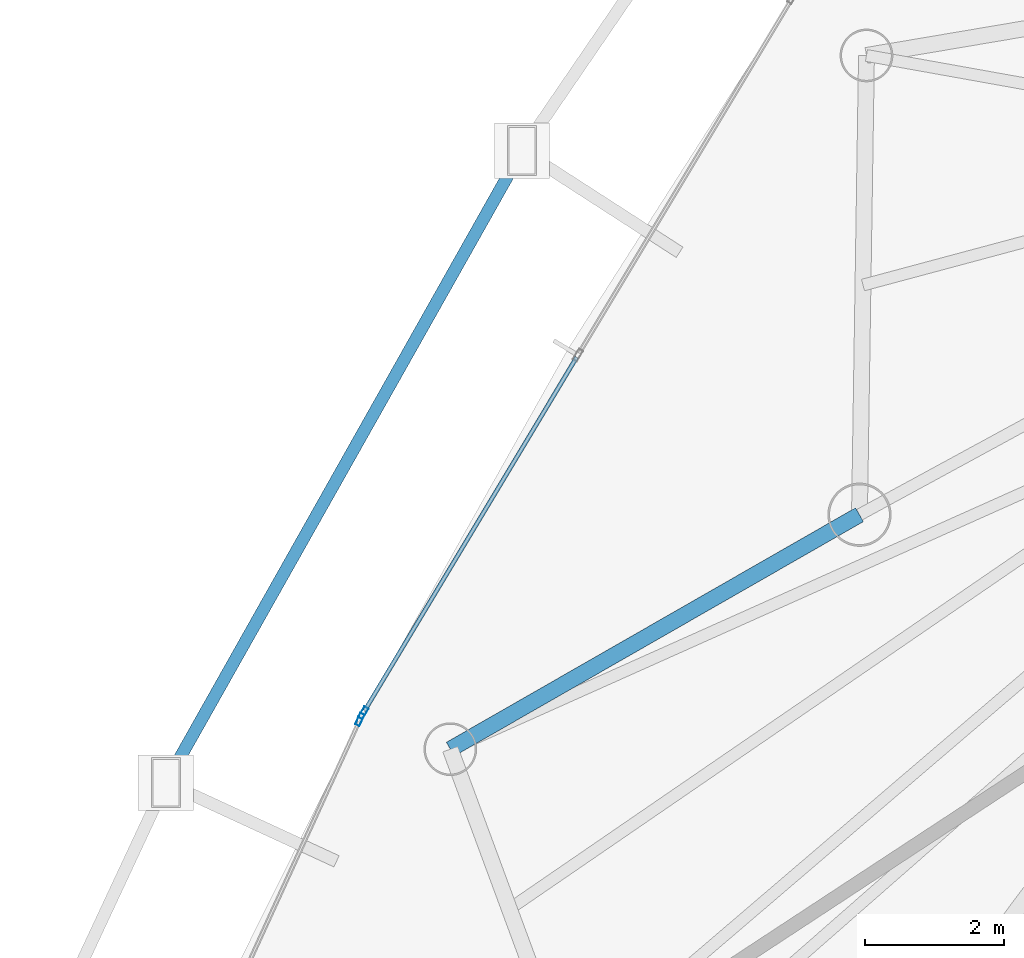
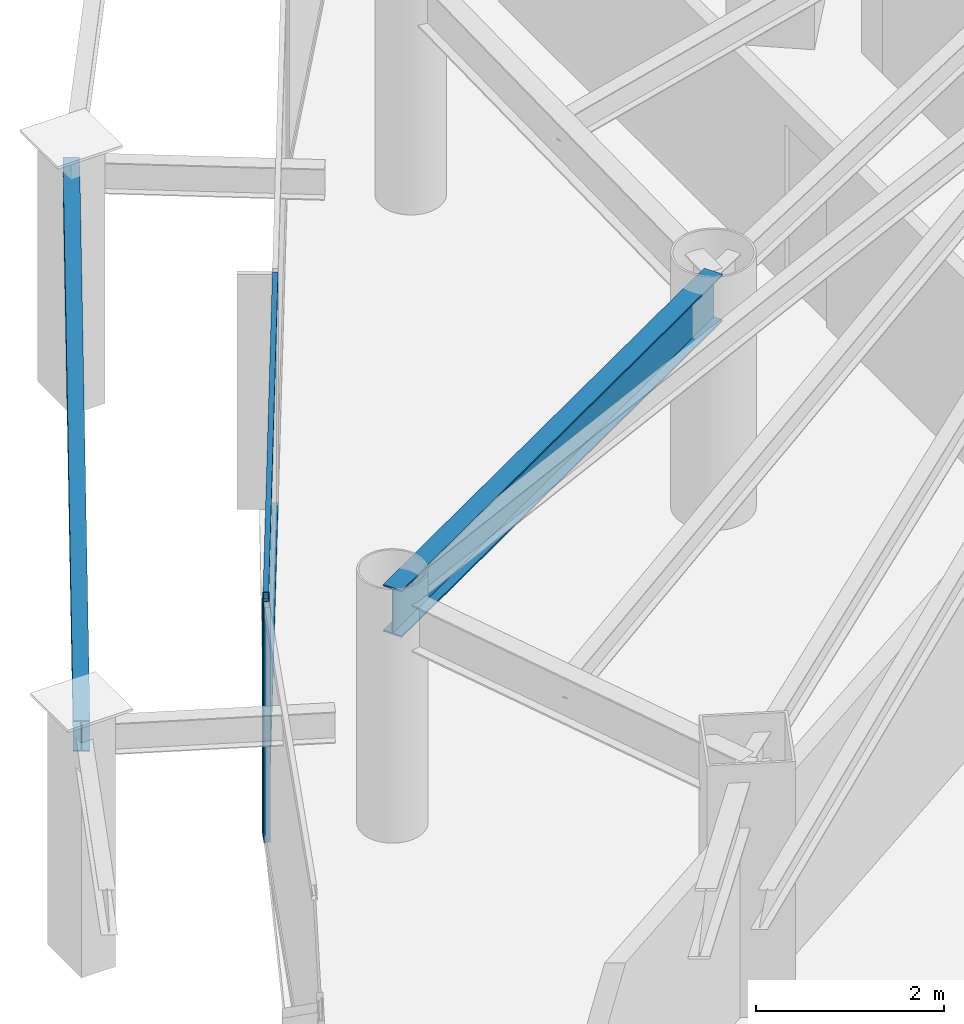
# One storey, part 10 of 33: 4 members, 2 beams, 2 elements without a shape of their own.
"""IFC4 building model written with IfcOpenShell, lengths in metres."""

import ifcopenshell
import ifcopenshell.guid

model = None  # the IFC model being written
_history = None  # IfcOwnerHistory: only IFC2X3 demands one
_inside = {}  # id of a spatial element -> (the spatial element, [elements in it])
_under = {}  # id of a project, library or spatial element -> (it, [spatial elements below it])
_declared = {}  # id of a project -> (the project, [libraries it declares])
_typed = {}  # id of a type object -> (the type object, [elements of that type])
_made_of = {}  # id of a material, layer set ... -> (it, [elements and type objects made of it])


def new_model(schema):
    """Start an empty IFC model of exactly this schema.

    Asked for "IFC4X3", IfcOpenShell would pick the latest addendum, in which some entities
    have other attributes; the version numbers below select the first issue.
    IFC2X3 requires an IfcOwnerHistory on every rooted entity: one is made here for all.
    """
    global model, _history
    if schema == "IFC4X3":
        model = ifcopenshell.file(schema_version=(4, 3, 0, 0))
    else:
        model = ifcopenshell.file(schema=schema)
    _inside.clear()
    _under.clear()
    _declared.clear()
    _typed.clear()
    _made_of.clear()
    _history = None
    if model.schema == "IFC2X3":
        org = make("IfcOrganization", Name="unknown")
        user = make(
            "IfcPersonAndOrganization",
            ThePerson=make("IfcPerson", FamilyName="unknown"),
            TheOrganization=org,
        )
        app = make(
            "IfcApplication",
            ApplicationDeveloper=org,
            Version="unknown",
            ApplicationFullName="unknown",
            ApplicationIdentifier="unknown",
        )
        _history = make(
            "IfcOwnerHistory",
            OwningUser=user,
            OwningApplication=app,
            ChangeAction="ADDED",
            CreationDate=0,
        )
    return model


def make(cls, **values):
    """One entity of the class cls with the attributes given. An attribute that is None is left unset."""
    return model.create_entity(
        cls, **{name: value for name, value in values.items() if value is not None}
    )


def rooted(cls, **values):
    """An entity with a GlobalId (a new one), such as an element, a storey or a relation."""
    return make(cls, GlobalId=ifcopenshell.guid.new(), OwnerHistory=_history, **values)


def si_unit(unit_type, name, prefix=None):
    """IfcSIUnit, for example si_unit("LENGTHUNIT", "METRE", prefix="MILLI")."""
    return make("IfcSIUnit", UnitType=unit_type, Prefix=prefix, Name=name)


def assignment(units):
    """IfcUnitAssignment: the units of a project."""
    return None if units is None else make("IfcUnitAssignment", Units=units)


def point(xyz):
    """IfcCartesianPoint."""
    return None if xyz is None else make("IfcCartesianPoint", Coordinates=xyz)


def direction(xyz):
    """IfcDirection."""
    return None if xyz is None else make("IfcDirection", DirectionRatios=xyz)


def frame(location, z_axis=None, x_axis=None):
    """IfcAxis2Placement3D, a coordinate frame: its origin and axes. An axis left out is left unset."""
    return make(
        "IfcAxis2Placement3D",
        Location=point(location),
        Axis=direction(z_axis),
        RefDirection=direction(x_axis),
    )


def frame_2d(location, x_axis=None):
    """IfcAxis2Placement2D, a coordinate frame in the plane: its origin and x axis."""
    return make(
        "IfcAxis2Placement2D", Location=point(location), RefDirection=direction(x_axis)
    )


def origin():
    """The frame at (0, 0, 0) with its axes left unset."""
    return frame((0.0, 0.0, 0.0))


def origin_2d():
    """The frame at (0, 0) in the plane with its x axis left unset."""
    return frame_2d((0.0, 0.0))


def place(relative_to, where):
    """IfcLocalPlacement: puts the frame where relative to a parent placement (None: the world)."""
    return make(
        "IfcLocalPlacement", PlacementRelTo=relative_to, RelativePlacement=where
    )


def context(
    kind, dimensions, precision=None, world=None, true_north=None, identifier=None
):
    """IfcGeometricRepresentationContext, for example the 3D "Model" context."""
    return make(
        "IfcGeometricRepresentationContext",
        ContextIdentifier=identifier,
        ContextType=kind,
        CoordinateSpaceDimension=dimensions,
        Precision=precision,
        WorldCoordinateSystem=world,
        TrueNorth=true_north,
    )


def subcontext(parent, identifier, kind, view, scale=None):
    """IfcGeometricRepresentationSubContext, for example "Body" below "Model"."""
    return make(
        "IfcGeometricRepresentationSubContext",
        ContextIdentifier=identifier,
        ContextType=kind,
        ParentContext=parent,
        TargetScale=scale,
        TargetView=view,
    )


def project(units=None, contexts=None):
    """IfcProject with its units and contexts."""
    return rooted(
        "IfcProject",
        Name="project",
        RepresentationContexts=contexts,
        UnitsInContext=assignment(units),
    )


def spatial(cls, under=None, at=None, **own):
    """A site, building, storey or space (cls), placed at a placement, below another one or the project."""
    s = rooted(cls, ObjectPlacement=at, **own)
    if under is not None:
        _under.setdefault(under.id(), (under, []))[1].append(s)
    return s


def profile(cls, at=None, kind="AREA", **sizes):
    """A parametric profile (cls). Its sizes go by their IFC names, for example OverallWidth=200.0."""
    return make(cls, ProfileType=kind, Position=at, **sizes)


def hollow_rectangle(**sizes):
    """IfcRectangleHollowProfileDef."""
    return profile("IfcRectangleHollowProfileDef", **sizes)


def i_section(**sizes):
    """IfcIShapeProfileDef."""
    return profile("IfcIShapeProfileDef", **sizes)


def extrude(swept, where, along, depth):
    """IfcExtrudedAreaSolid: the profile swept, set in the frame where, extruded along a direction by depth."""
    return make(
        "IfcExtrudedAreaSolid",
        SweptArea=swept,
        Position=where,
        ExtrudedDirection=direction(along),
        Depth=depth,
    )


def shape(context_of_items, identifier, shape_type, items):
    """IfcShapeRepresentation: the items that make up one representation, for example the "Body"."""
    return make(
        "IfcShapeRepresentation",
        ContextOfItems=context_of_items,
        RepresentationIdentifier=identifier,
        RepresentationType=shape_type,
        Items=items,
    )


def material(Name=None, Category=None):
    """IfcMaterial."""
    return make("IfcMaterial", Name=Name, Category=Category)


def layer(
    of_material, thickness, ventilated=None, Name=None, Category=None, Priority=None
):
    """IfcMaterialLayer: one layer of a wall or slab, of a material (None: an air gap)."""
    return make(
        "IfcMaterialLayer",
        Material=of_material,
        LayerThickness=thickness,
        IsVentilated=ventilated,
        Name=Name,
        Category=Category,
        Priority=Priority,
    )


def layer_set(layers, Name=None):
    """IfcMaterialLayerSet."""
    return make("IfcMaterialLayerSet", MaterialLayers=layers, LayerSetName=Name)


def material_profile(
    of_material, cross_section, Name=None, Category=None, Priority=None
):
    """IfcMaterialProfile: a cross section and its material."""
    return make(
        "IfcMaterialProfile",
        Name=Name,
        Material=of_material,
        Profile=cross_section,
        Priority=Priority,
        Category=Category,
    )


def profile_set(profiles, Name=None, composite=None):
    """IfcMaterialProfileSet."""
    return make(
        "IfcMaterialProfileSet",
        Name=Name,
        MaterialProfiles=profiles,
        CompositeProfile=composite,
    )


def made_of(thing, what):
    """Note that an element or type object is made of a material, layer set ...; save() writes the relation."""
    if what is not None:
        _made_of.setdefault(what.id(), (what, []))[1].append(thing)
    return thing


def type_object(cls, material=None, **own):
    """A type object (cls), such as IfcWallType, which elements share."""
    return made_of(rooted(cls, **own), material)


def element(
    cls,
    number,
    at=None,
    inside=None,
    cuts=None,
    type_object=None,
    material=None,
    context=None,
    identifier="Body",
    shape_type=None,
    held_by="IfcProductDefinitionShape",
    body=None,
    shapes=None,
    **own,
):
    """One element of the class cls, such as IfcWall. Its Tag is "e" and its number.

    at: its placement. inside: the storey or other place that contains it. cuts: it is an
    opening in that element (IfcRelVoidsElement). A single representation is given by context,
    identifier, shape_type and body (its items); several are given by shapes. held_by: the class
    of the entity that holds the representations. save() writes the other relations.
    """
    e = rooted(cls, Tag="e%d" % number, ObjectPlacement=at, **own)
    if body is not None:
        shapes = [shape(context, identifier, shape_type, body)]
    if shapes is not None:
        e.Representation = make(held_by, Representations=shapes)
    if inside is not None:
        _inside.setdefault(inside.id(), (inside, []))[1].append(e)
    if cuts is not None:
        rooted(
            "IfcRelVoidsElement", RelatingBuildingElement=cuts, RelatedOpeningElement=e
        )
    if type_object is not None:
        _typed.setdefault(type_object.id(), (type_object, []))[1].append(e)
    return made_of(e, material)


def aggregate(whole, parts):
    """IfcRelAggregates: a whole, such as a stair, and the parts it consists of."""
    return rooted("IfcRelAggregates", RelatingObject=whole, RelatedObjects=parts)


def save(model, path):
    """Write the relations noted so far, then the file.

    IfcRelAggregates (storeys below a building ...), IfcRelContainedInSpatialStructure (elements
    in a storey), IfcRelDefinesByType, IfcRelAssociatesMaterial and IfcRelDeclares: one each for
    every whole, place, type object, material and project.
    """
    for whole, parts in _under.values():
        aggregate(whole, parts)
    for where, things in _inside.values():
        rooted(
            "IfcRelContainedInSpatialStructure",
            RelatedElements=things,
            RelatingStructure=where,
        )
    for kind, things in _typed.values():
        rooted("IfcRelDefinesByType", RelatedObjects=things, RelatingType=kind)
    for what, things in _made_of.values():
        rooted("IfcRelAssociatesMaterial", RelatedObjects=things, RelatingMaterial=what)
    for by, libraries in _declared.values():
        rooted("IfcRelDeclares", RelatingContext=by, RelatedDefinitions=libraries)
    model.write(path)


model = new_model("IFC4")

# Units and contexts
model_context = context("Model", 3, precision=1e-05, world=origin(), true_north=direction((0.0, 1.0)))
body_context = subcontext(model_context, "Body", "Model", "MODEL_VIEW")
ifc_project = project(units=[si_unit("LENGTHUNIT", "METRE"), si_unit("AREAUNIT", "SQUARE_METRE"), si_unit("VOLUMEUNIT", "CUBIC_METRE"), si_unit("PLANEANGLEUNIT", "RADIAN"), si_unit("MASSUNIT", "GRAM", prefix="KILO")], contexts=[model_context])

# Site, building, storey
site_placement = place(None, origin())
site = spatial("IfcSite", under=ifc_project, at=site_placement, CompositionType="ELEMENT")
building_placement = place(site_placement, origin())
building = spatial("IfcBuilding", under=site, at=building_placement, Name="Orvanel Arch Residences", CompositionType="ELEMENT")
storey_placement = place(building_placement, frame((0.0, 0.0, 87.35009765625)))
storey = spatial("IfcBuildingStorey", under=building, at=storey_placement, Name="L24", CompositionType="ELEMENT", Elevation=87.35009765625)

# Curtain wall, member
ifc_material_1 = material(Name="Bronze-anodised aluminium AA6063-T6", Category="aluminium")
ifc_layer = layer(ifc_material_1, 0.179931640625)
ifc_layer_set = layer_set([ifc_layer], Name="Bronze-anodised aluminium AA6063-T6")
curtain_wall_type = type_object("IfcCurtainWallType", Name="CW2-LOW-SYS", PredefinedType="NOTDEFINED", material=ifc_layer_set)
curtain_wall_1_placement = place(storey_placement, origin())
curtain_wall_1 = element("IfcCurtainWall", 1, at=curtain_wall_1_placement, inside=storey, type_object=curtain_wall_type, Name="L24 CW2-LOW-SYS Unitised Curtain Wall", PredefinedType="NOTDEFINED")
ifc_material_profile_1 = material_profile(ifc_material_1, hollow_rectangle(XDim=0.070068359375, YDim=0.179931640625, WallThickness=0.00439453125, at=origin_2d()), Name="ALU180x70x4.5")
ifc_profile_set_1 = profile_set([ifc_material_profile_1], Name="Bronze-anodised aluminium AA6063-T6")
member_type_1 = type_object("IfcMemberType", Name="MUL-180x70", PredefinedType="MULLION", material=ifc_profile_set_1)
member_1_placement = place(storey_placement, frame((13.406982421875, 24.781005859375, 0.0), z_axis=(0.0, 0.0, 1.0), x_axis=(0.857536630134, -0.514422907712, 0.0)))
member_1 = element("IfcMember", 2, at=member_1_placement, type_object=member_type_1, Name="CW-S2 mullion 3", PredefinedType="MULLION", context=body_context, shape_type="SweptSolid", body=[
    extrude(hollow_rectangle(XDim=0.070068359375, YDim=0.179931640625, WallThickness=0.00439453125, at=origin_2d()), origin(), (0.0, 0.0, 1.0), 3.059814453125),
])

curtain_wall_2_placement = place(storey_placement, origin())
curtain_wall_2 = element("IfcCurtainWall", 3, at=curtain_wall_2_placement, inside=storey, type_object=curtain_wall_type, Name="L24 CW2-LOW-SYS Unitised Curtain Wall", PredefinedType="NOTDEFINED")
member_2_placement = place(storey_placement, frame((13.3564453125, 24.68408203125, 0.0), z_axis=(0.0, 0.0, 1.0), x_axis=(0.90969922077, -0.415267778343, 0.0)))
member_2 = element("IfcMember", 4, at=member_2_placement, type_object=member_type_1, Name="CW-S2 mullion 1", PredefinedType="MULLION", context=body_context, shape_type="SweptSolid", body=[
    extrude(hollow_rectangle(XDim=0.070068359375, YDim=0.179931640625, WallThickness=0.00439453125, at=origin_2d()), origin(), (0.0, 0.0, 1.0), 3.059814453125),
])
aggregate(curtain_wall_2, [member_2])

# Beams
ifc_material_2 = material(Name="Structural steel AS/NZS 3679.1 Grade 300 (300 MPa)", Category="steel")
ifc_material_profile_2 = material_profile(ifc_material_2, i_section(OverallWidth=0.177978515625, OverallDepth=0.406005859375, WebThickness=0.0078125, FlangeThickness=0.0126953125, at=origin_2d()), Name="410UB59.7")
ifc_profile_set_2 = profile_set([ifc_material_profile_2], Name="Structural steel AS/NZS 3679.1 Grade 300 (300 MPa)")
beam_type_1 = type_object("IfcBeamType", Name="OB-410UB-EXT", PredefinedType="SPANDREL", material=ifc_profile_set_2)
beam_1_placement = place(storey_placement, frame((15.697021484375, 32.89697265625, 2.85693359375), z_axis=(-0.490872149716, -0.871231618247, 0.0), x_axis=(0.871231618247, -0.490872149716, 0.0)))
element("IfcBeam", 5, at=beam_1_placement, inside=storey, type_object=beam_type_1, Name="L24 Outer Perimeter Floor Ring Beam 02", PredefinedType="SPANDREL", context=body_context, shape_type="SweptSolid", body=[
    extrude(i_section(OverallWidth=0.177978515625, OverallDepth=0.406005859375, WebThickness=0.0078125, FlangeThickness=0.0126953125, at=origin_2d()), origin(), (0.0, 0.0, 1.0), 10.471435546875),
])
ifc_material_profile_3 = material_profile(ifc_material_2, i_section(OverallWidth=0.22900390625, OverallDepth=0.612060546875, WebThickness=0.011962890625, FlangeThickness=0.01953125, at=origin_2d()), Name="610UB125")
ifc_profile_set_3 = profile_set([ifc_material_profile_3], Name="Structural steel AS/NZS 3679.1 Grade 300 (300 MPa)")
beam_type_2 = type_object("IfcBeamType", Name="SP-610UB", PredefinedType="SPANDREL", material=ifc_profile_set_3)
beam_2_placement = place(storey_placement, frame((20.569091796875, 27.64111328125, 2.75390625), z_axis=(-0.867635629025, -0.497200578485, 0.0), x_axis=(0.497200578485, -0.867635629025, 0.0)))
element("IfcBeam", 6, at=beam_2_placement, inside=storey, type_object=beam_type_2, Name="L24 Perimeter Spandrel Beam 21", PredefinedType="SPANDREL", context=body_context, shape_type="SweptSolid", body=[
    extrude(i_section(OverallWidth=0.22900390625, OverallDepth=0.612060546875, WebThickness=0.011962890625, FlangeThickness=0.01953125, at=origin_2d()), origin(), (0.0, 0.0, 1.0), 6.80810546875),
])

# Member
ifc_material_profile_4 = material_profile(ifc_material_1, hollow_rectangle(XDim=0.06005859375, YDim=0.135009765625, WallThickness=0.00390625, at=origin_2d()), Name="ALU135x60x4")
ifc_profile_set_4 = profile_set([ifc_material_profile_4], Name="Bronze-anodised aluminium AA6063-T6")
member_type_2 = type_object("IfcMemberType", Name="TRN-135x60", PredefinedType="USERDEFINED", material=ifc_profile_set_4)
member_3_placement = place(storey_placement, frame((16.486572265625, 29.91455078125, 0.02978515625), z_axis=(-0.514423360777, -0.857536358347, 0.0), x_axis=(0.857536358347, -0.514423360777, 0.0)))
member_3 = element("IfcMember", 7, at=member_3_placement, type_object=member_type_2, Name="CW-S2 transom 2.1", ObjectType="TRANSOM", PredefinedType="USERDEFINED", context=body_context, shape_type="SweptSolid", body=[
    extrude(hollow_rectangle(XDim=0.06005859375, YDim=0.135009765625, WallThickness=0.00390625, at=origin_2d()), origin(), (0.0, 0.0, 1.0), 5.951416015625),
])

member_4_placement = place(storey_placement, frame((16.486572265625, 29.91455078125, 3.02978515625), z_axis=(-0.514423360777, -0.857536358347, 0.0), x_axis=(0.857536358347, -0.514423360777, 0.0)))
member_4 = element("IfcMember", 8, at=member_4_placement, type_object=member_type_2, Name="CW-S2 transom 2.2", ObjectType="TRANSOM", PredefinedType="USERDEFINED", context=body_context, shape_type="SweptSolid", body=[
    extrude(hollow_rectangle(XDim=0.06005859375, YDim=0.135009765625, WallThickness=0.00390625, at=origin_2d()), origin(), (0.0, 0.0, 1.0), 5.951416015625),
])

aggregate(curtain_wall_1, [member_1, member_3, member_4])

save(model, "model.ifc")
